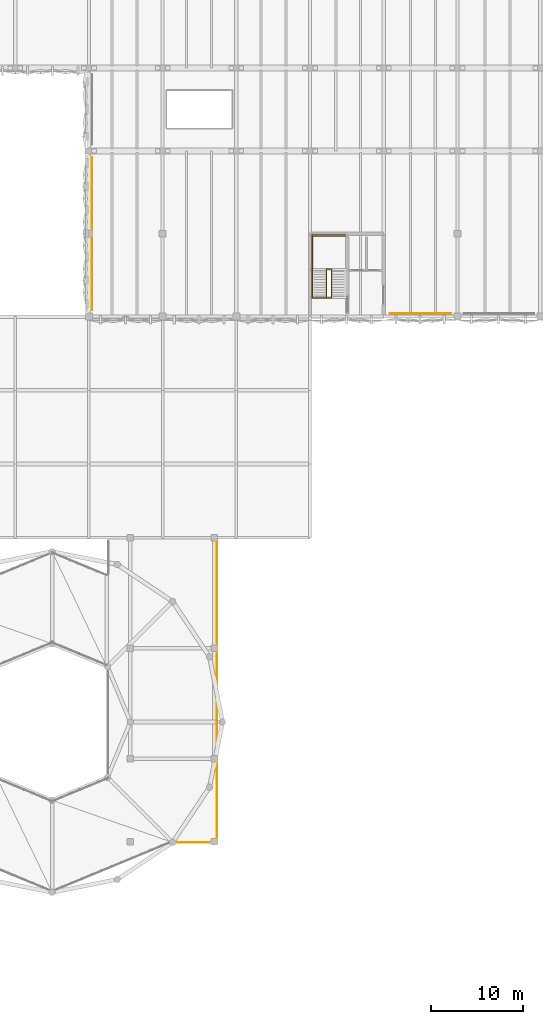
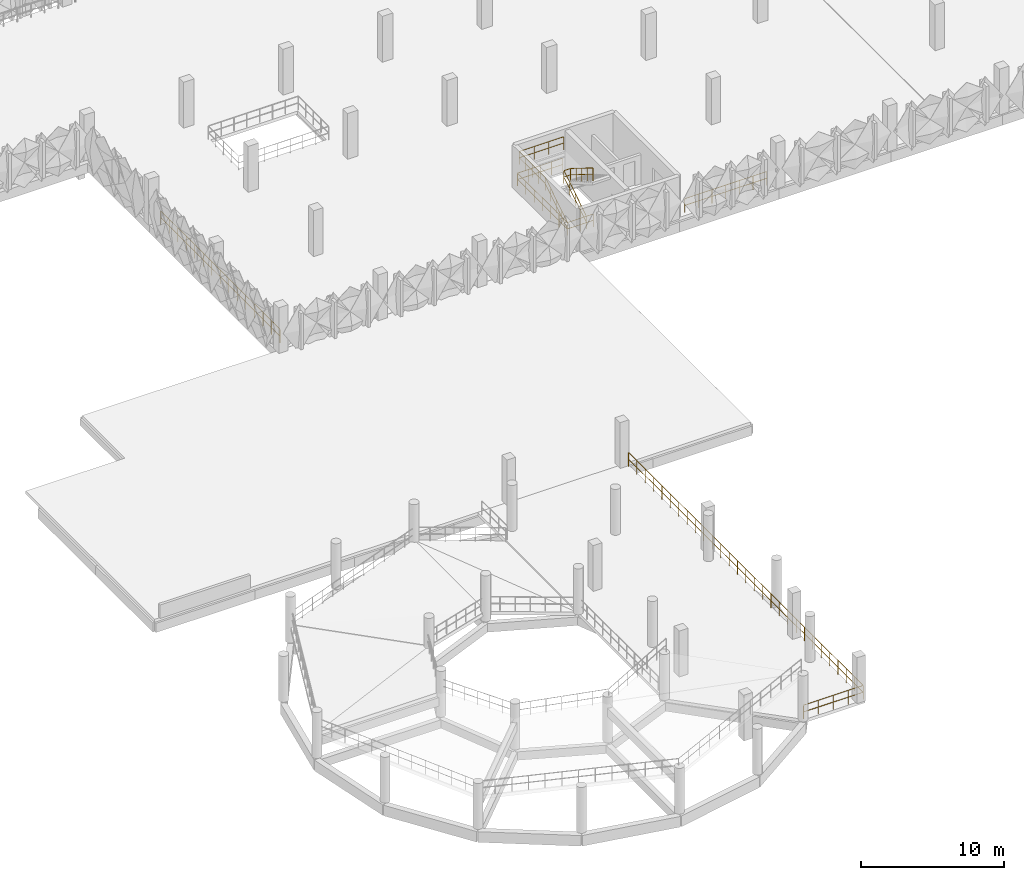
# One storey, part 68 of 76: 6 railings.
"""IFC4 building model written with IfcOpenShell, lengths in metres."""

from ifc_helpers import new_model, si_unit, derived_unit, direction, frame, origin, origin_2d, place, context, subcontext, project, spatial, circle, extrude, material, type_object, element, save


model = new_model("IFC4")

# Units and contexts
model_context = context("Model", 3, precision=1e-05, world=origin(), true_north=direction((0.0, 1.0)))
body_context = subcontext(model_context, "Body", "Model", "MODEL_VIEW")
ifc_project = project(units=[si_unit("LENGTHUNIT", "METRE"), si_unit("AREAUNIT", "SQUARE_METRE"), si_unit("VOLUMEUNIT", "CUBIC_METRE"), si_unit("PLANEANGLEUNIT", "RADIAN"), si_unit("MASSUNIT", "GRAM", prefix="KILO"), si_unit("THERMODYNAMICTEMPERATUREUNIT", "KELVIN"), derived_unit("THERMALTRANSMITTANCEUNIT", [(si_unit("POWERUNIT", "WATT"), 1), (si_unit("AREAUNIT", "SQUARE_METRE"), -1), (si_unit("THERMODYNAMICTEMPERATUREUNIT", "KELVIN"), -1)])], contexts=[model_context])

# Site, building, storey
site_placement = place(None, origin())
site = spatial("IfcSite", under=ifc_project, at=site_placement, CompositionType="ELEMENT")
building_placement = place(site_placement, origin())
building = spatial("IfcBuilding", under=site, at=building_placement, Name="Haiyu Intermodal Mobility Hub", CompositionType="ELEMENT")
storey_placement = place(building_placement, frame((0.0, 0.0, 17.300048828125)))
storey = spatial("IfcBuildingStorey", under=building, at=storey_placement, Name="L04", CompositionType="ELEMENT", Elevation=17.300048828125)

# Railings
ifc_material = material(Name="Steel Q355C", Category="steel")
railing_type_1 = type_object("IfcRailingType", Name="RAL-GR01", PredefinedType="GUARDRAIL", material=ifc_material)
railing_1_placement = place(storey_placement, frame((47.10009765625, 46.89990234375, 0.0)))
element("IfcRailing", 1, at=railing_1_placement, inside=storey, type_object=railing_type_1, Name="L04 Ramp Arrival Deck South-East Guard", PredefinedType="GUARDRAIL", context=body_context, shape_type="SweptSolid", body=[
    extrude(circle(Radius=0.02392578125, at=origin_2d()), frame((0.030029296875, 0.0, 1.17578125), z_axis=(1.0, 0.0, 0.0), x_axis=(0.0, 1.0, 0.0)), (0.0, 0.0, 1.0), 4.73974609375),
    extrude(circle(Radius=0.02392578125, at=origin_2d()), frame((0.037353515625, 0.0, 0.60009765625), z_axis=(1.0, 0.0, 0.0), x_axis=(0.0, 1.0, 0.0)), (0.0, 0.0, 1.0), 1.125244140625),
    extrude(circle(Radius=0.02392578125, at=origin_2d()), frame((1.2373046875, 0.0, 0.60009765625), z_axis=(1.0, 0.0, 0.0), x_axis=(0.0, 1.0, 0.0)), (0.0, 0.0, 1.0), 1.125244140625),
    extrude(circle(Radius=0.02392578125, at=origin_2d()), frame((2.437255859375, 0.0, 0.60009765625), z_axis=(1.0, 0.0, 0.0), x_axis=(0.0, 1.0, 0.0)), (0.0, 0.0, 1.0), 1.125244140625),
    extrude(circle(Radius=0.02392578125, at=origin_2d()), frame((3.63720703125, 0.0, 0.60009765625), z_axis=(1.0, 0.0, 0.0), x_axis=(0.0, 1.0, 0.0)), (0.0, 0.0, 1.0), 1.125244140625),
    extrude(circle(Radius=0.02392578125, at=origin_2d()), frame((4.7998046875, 0.030029296875, 1.17578125), z_axis=(0.0, 1.0, 0.0), x_axis=(-1.0, 0.0, 0.0)), (0.0, 0.0, 1.0), 32.64013671875),
    extrude(circle(Radius=0.02392578125, at=origin_2d()), frame((4.7998046875, 0.037353515625, 0.60009765625), z_axis=(0.0, 1.0, 0.0), x_axis=(-1.0, 0.0, 0.0)), (0.0, 0.0, 1.0), 1.09326171875),
    extrude(circle(Radius=0.02392578125, at=origin_2d()), frame((4.7998046875, 1.205078125, 0.60009765625), z_axis=(0.0, 1.0, 0.0), x_axis=(-1.0, 0.0, 0.0)), (0.0, 0.0, 1.0), 1.09326171875),
    extrude(circle(Radius=0.02392578125, at=origin_2d()), frame((4.7998046875, 2.373046875, 0.60009765625), z_axis=(0.0, 1.0, 0.0), x_axis=(-1.0, 0.0, 0.0)), (0.0, 0.0, 1.0), 1.09326171875),
    extrude(circle(Radius=0.02392578125, at=origin_2d()), frame((4.7998046875, 3.540771484375, 0.60009765625), z_axis=(0.0, 1.0, 0.0), x_axis=(-1.0, 0.0, 0.0)), (0.0, 0.0, 1.0), 1.09326171875),
    extrude(circle(Radius=0.02392578125, at=origin_2d()), frame((4.7998046875, 4.708740234375, 0.60009765625), z_axis=(0.0, 1.0, 0.0), x_axis=(-1.0, 0.0, 0.0)), (0.0, 0.0, 1.0), 1.09326171875),
    extrude(circle(Radius=0.02392578125, at=origin_2d()), frame((4.7998046875, 5.876708984375, 0.60009765625), z_axis=(0.0, 1.0, 0.0), x_axis=(-1.0, 0.0, 0.0)), (0.0, 0.0, 1.0), 1.09326171875),
    extrude(circle(Radius=0.02392578125, at=origin_2d()), frame((4.7998046875, 7.04443359375, 0.60009765625), z_axis=(0.0, 1.0, 0.0), x_axis=(-1.0, 0.0, 0.0)), (0.0, 0.0, 1.0), 1.09326171875),
    extrude(circle(Radius=0.02392578125, at=origin_2d()), frame((4.7998046875, 8.21240234375, 0.60009765625), z_axis=(0.0, 1.0, 0.0), x_axis=(-1.0, 0.0, 0.0)), (0.0, 0.0, 1.0), 1.09326171875),
    extrude(circle(Radius=0.02392578125, at=origin_2d()), frame((4.7998046875, 9.380126953125, 0.60009765625), z_axis=(0.0, 1.0, 0.0), x_axis=(-1.0, 0.0, 0.0)), (0.0, 0.0, 1.0), 1.09326171875),
    extrude(circle(Radius=0.02392578125, at=origin_2d()), frame((4.7998046875, 10.548095703125, 0.60009765625), z_axis=(0.0, 1.0, 0.0), x_axis=(-1.0, 0.0, 0.0)), (0.0, 0.0, 1.0), 1.09326171875),
    extrude(circle(Radius=0.02392578125, at=origin_2d()), frame((4.7998046875, 11.7158203125, 0.60009765625), z_axis=(0.0, 1.0, 0.0), x_axis=(-1.0, 0.0, 0.0)), (0.0, 0.0, 1.0), 1.09326171875),
    extrude(circle(Radius=0.02392578125, at=origin_2d()), frame((4.7998046875, 12.8837890625, 0.60009765625), z_axis=(0.0, 1.0, 0.0), x_axis=(-1.0, 0.0, 0.0)), (0.0, 0.0, 1.0), 1.09326171875),
    extrude(circle(Radius=0.02392578125, at=origin_2d()), frame((4.7998046875, 14.0517578125, 0.60009765625), z_axis=(0.0, 1.0, 0.0), x_axis=(-1.0, 0.0, 0.0)), (0.0, 0.0, 1.0), 1.09326171875),
    extrude(circle(Radius=0.02392578125, at=origin_2d()), frame((4.7998046875, 15.219482421875, 0.60009765625), z_axis=(0.0, 1.0, 0.0), x_axis=(-1.0, 0.0, 0.0)), (0.0, 0.0, 1.0), 1.09326171875),
    extrude(circle(Radius=0.02392578125, at=origin_2d()), frame((4.7998046875, 16.387451171875, 0.60009765625), z_axis=(0.0, 1.0, 0.0), x_axis=(-1.0, 0.0, 0.0)), (0.0, 0.0, 1.0), 1.09326171875),
    extrude(circle(Radius=0.02392578125, at=origin_2d()), frame((4.7998046875, 17.55517578125, 0.60009765625), z_axis=(0.0, 1.0, 0.0), x_axis=(-1.0, 0.0, 0.0)), (0.0, 0.0, 1.0), 1.09326171875),
    extrude(circle(Radius=0.02392578125, at=origin_2d()), frame((4.7998046875, 18.72314453125, 0.60009765625), z_axis=(0.0, 1.0, 0.0), x_axis=(-1.0, 0.0, 0.0)), (0.0, 0.0, 1.0), 1.09326171875),
    extrude(circle(Radius=0.02392578125, at=origin_2d()), frame((4.7998046875, 19.890869140625, 0.60009765625), z_axis=(0.0, 1.0, 0.0), x_axis=(-1.0, 0.0, 0.0)), (0.0, 0.0, 1.0), 1.09326171875),
    extrude(circle(Radius=0.02392578125, at=origin_2d()), frame((4.7998046875, 21.058837890625, 0.60009765625), z_axis=(0.0, 1.0, 0.0), x_axis=(-1.0, 0.0, 0.0)), (0.0, 0.0, 1.0), 1.09326171875),
    extrude(circle(Radius=0.02392578125, at=origin_2d()), frame((4.7998046875, 22.226806640625, 0.60009765625), z_axis=(0.0, 1.0, 0.0), x_axis=(-1.0, 0.0, 0.0)), (0.0, 0.0, 1.0), 1.09326171875),
    extrude(circle(Radius=0.02392578125, at=origin_2d()), frame((4.7998046875, 23.39453125, 0.60009765625), z_axis=(0.0, 1.0, 0.0), x_axis=(-1.0, 0.0, 0.0)), (0.0, 0.0, 1.0), 1.09326171875),
    extrude(circle(Radius=0.02392578125, at=origin_2d()), frame((4.7998046875, 24.5625, 0.60009765625), z_axis=(0.0, 1.0, 0.0), x_axis=(-1.0, 0.0, 0.0)), (0.0, 0.0, 1.0), 1.09326171875),
    extrude(circle(Radius=0.02392578125, at=origin_2d()), frame((4.7998046875, 25.730224609375, 0.60009765625), z_axis=(0.0, 1.0, 0.0), x_axis=(-1.0, 0.0, 0.0)), (0.0, 0.0, 1.0), 1.09326171875),
    extrude(circle(Radius=0.02392578125, at=origin_2d()), frame((4.7998046875, 26.898193359375, 0.60009765625), z_axis=(0.0, 1.0, 0.0), x_axis=(-1.0, 0.0, 0.0)), (0.0, 0.0, 1.0), 1.09326171875),
    extrude(circle(Radius=0.02392578125, at=origin_2d()), frame((4.7998046875, 28.06591796875, 0.60009765625), z_axis=(0.0, 1.0, 0.0), x_axis=(-1.0, 0.0, 0.0)), (0.0, 0.0, 1.0), 1.09326171875),
    extrude(circle(Radius=0.02392578125, at=origin_2d()), frame((4.7998046875, 29.23388671875, 0.60009765625), z_axis=(0.0, 1.0, 0.0), x_axis=(-1.0, 0.0, 0.0)), (0.0, 0.0, 1.0), 1.09326171875),
    extrude(circle(Radius=0.02392578125, at=origin_2d()), frame((4.7998046875, 30.40185546875, 0.60009765625), z_axis=(0.0, 1.0, 0.0), x_axis=(-1.0, 0.0, 0.0)), (0.0, 0.0, 1.0), 1.09326171875),
    extrude(circle(Radius=0.02392578125, at=origin_2d()), frame((4.7998046875, 31.569580078125, 0.60009765625), z_axis=(0.0, 1.0, 0.0), x_axis=(-1.0, 0.0, 0.0)), (0.0, 0.0, 1.0), 1.09326171875),
    extrude(circle(Radius=0.02099609375, at=origin_2d()), origin(), (0.0, 0.0, 1.0), 1.143798828125),
    extrude(circle(Radius=0.02099609375, at=origin_2d()), frame((1.199951171875, 0.0, 0.0)), (0.0, 0.0, 1.0), 1.143798828125),
    extrude(circle(Radius=0.02099609375, at=origin_2d()), frame((2.39990234375, 0.0, 0.0)), (0.0, 0.0, 1.0), 1.143798828125),
    extrude(circle(Radius=0.02099609375, at=origin_2d()), frame((3.599853515625, 0.0, 0.0)), (0.0, 0.0, 1.0), 1.143798828125),
    extrude(circle(Radius=0.02099609375, at=origin_2d()), frame((4.7998046875, 0.0, 0.0)), (0.0, 0.0, 1.0), 1.143798828125),
    extrude(circle(Radius=0.02099609375, at=origin_2d()), frame((4.7998046875, 1.16796875, 0.0)), (0.0, 0.0, 1.0), 1.143798828125),
    extrude(circle(Radius=0.02099609375, at=origin_2d()), frame((4.7998046875, 2.335693359375, 0.0)), (0.0, 0.0, 1.0), 1.143798828125),
    extrude(circle(Radius=0.02099609375, at=origin_2d()), frame((4.7998046875, 3.503662109375, 0.0)), (0.0, 0.0, 1.0), 1.143798828125),
    extrude(circle(Radius=0.02099609375, at=origin_2d()), frame((4.7998046875, 4.67138671875, 0.0)), (0.0, 0.0, 1.0), 1.143798828125),
    extrude(circle(Radius=0.02099609375, at=origin_2d()), frame((4.7998046875, 5.83935546875, 0.0)), (0.0, 0.0, 1.0), 1.143798828125),
    extrude(circle(Radius=0.02099609375, at=origin_2d()), frame((4.7998046875, 7.007080078125, 0.0)), (0.0, 0.0, 1.0), 1.143798828125),
    extrude(circle(Radius=0.02099609375, at=origin_2d()), frame((4.7998046875, 8.175048828125, 0.0)), (0.0, 0.0, 1.0), 1.143798828125),
    extrude(circle(Radius=0.02099609375, at=origin_2d()), frame((4.7998046875, 9.343017578125, 0.0)), (0.0, 0.0, 1.0), 1.143798828125),
    extrude(circle(Radius=0.02099609375, at=origin_2d()), frame((4.7998046875, 10.5107421875, 0.0)), (0.0, 0.0, 1.0), 1.143798828125),
    extrude(circle(Radius=0.02099609375, at=origin_2d()), frame((4.7998046875, 11.6787109375, 0.0)), (0.0, 0.0, 1.0), 1.143798828125),
    extrude(circle(Radius=0.02099609375, at=origin_2d()), frame((4.7998046875, 12.846435546875, 0.0)), (0.0, 0.0, 1.0), 1.143798828125),
    extrude(circle(Radius=0.02099609375, at=origin_2d()), frame((4.7998046875, 14.014404296875, 0.0)), (0.0, 0.0, 1.0), 1.143798828125),
    extrude(circle(Radius=0.02099609375, at=origin_2d()), frame((4.7998046875, 15.18212890625, 0.0)), (0.0, 0.0, 1.0), 1.143798828125),
    extrude(circle(Radius=0.02099609375, at=origin_2d()), frame((4.7998046875, 16.35009765625, 0.0)), (0.0, 0.0, 1.0), 1.143798828125),
    extrude(circle(Radius=0.02099609375, at=origin_2d()), frame((4.7998046875, 17.51806640625, 0.0)), (0.0, 0.0, 1.0), 1.143798828125),
    extrude(circle(Radius=0.02099609375, at=origin_2d()), frame((4.7998046875, 18.685791015625, 0.0)), (0.0, 0.0, 1.0), 1.143798828125),
    extrude(circle(Radius=0.02099609375, at=origin_2d()), frame((4.7998046875, 19.853759765625, 0.0)), (0.0, 0.0, 1.0), 1.143798828125),
    extrude(circle(Radius=0.02099609375, at=origin_2d()), frame((4.7998046875, 21.021484375, 0.0)), (0.0, 0.0, 1.0), 1.143798828125),
    extrude(circle(Radius=0.02099609375, at=origin_2d()), frame((4.7998046875, 22.189453125, 0.0)), (0.0, 0.0, 1.0), 1.143798828125),
    extrude(circle(Radius=0.02099609375, at=origin_2d()), frame((4.7998046875, 23.357177734375, 0.0)), (0.0, 0.0, 1.0), 1.143798828125),
    extrude(circle(Radius=0.02099609375, at=origin_2d()), frame((4.7998046875, 24.525146484375, 0.0)), (0.0, 0.0, 1.0), 1.143798828125),
    extrude(circle(Radius=0.02099609375, at=origin_2d()), frame((4.7998046875, 25.693115234375, 0.0)), (0.0, 0.0, 1.0), 1.143798828125),
    extrude(circle(Radius=0.02099609375, at=origin_2d()), frame((4.7998046875, 26.86083984375, 0.0)), (0.0, 0.0, 1.0), 1.143798828125),
    extrude(circle(Radius=0.02099609375, at=origin_2d()), frame((4.7998046875, 28.02880859375, 0.0)), (0.0, 0.0, 1.0), 1.143798828125),
    extrude(circle(Radius=0.02099609375, at=origin_2d()), frame((4.7998046875, 29.196533203125, 0.0)), (0.0, 0.0, 1.0), 1.143798828125),
    extrude(circle(Radius=0.02099609375, at=origin_2d()), frame((4.7998046875, 30.364501953125, 0.0)), (0.0, 0.0, 1.0), 1.143798828125),
    extrude(circle(Radius=0.02099609375, at=origin_2d()), frame((4.7998046875, 31.5322265625, 0.0)), (0.0, 0.0, 1.0), 1.143798828125),
    extrude(circle(Radius=0.02099609375, at=origin_2d()), frame((4.7998046875, 32.7001953125, 0.0)), (0.0, 0.0, 1.0), 1.143798828125),
])
railing_2_placement = place(storey_placement, frame((38.340087890625, 121.300048828125, 0.0)))
element("IfcRailing", 2, at=railing_2_placement, inside=storey, type_object=railing_type_1, Name="RAL-CAR-WS-0085", PredefinedType="GUARDRAIL", context=body_context, shape_type="SweptSolid", body=[
    extrude(circle(Radius=0.02392578125, at=origin_2d()), frame((0.0, -0.030029296875, 1.17578125), z_axis=(0.0, -1.0, 0.0), x_axis=(1.0, 0.0, 0.0)), (0.0, 0.0, 1.0), 16.5400390625),
    extrude(circle(Radius=0.02392578125, at=origin_2d()), frame((0.0, -0.037353515625, 0.60009765625), z_axis=(0.0, -1.0, 0.0), x_axis=(1.0, 0.0, 0.0)), (0.0, 0.0, 1.0), 1.111083984375),
    extrude(circle(Radius=0.02392578125, at=origin_2d()), frame((0.0, -1.222900390625, 0.60009765625), z_axis=(0.0, -1.0, 0.0), x_axis=(1.0, 0.0, 0.0)), (0.0, 0.0, 1.0), 1.111083984375),
    extrude(circle(Radius=0.02392578125, at=origin_2d()), frame((0.0, -2.40869140625, 0.60009765625), z_axis=(0.0, -1.0, 0.0), x_axis=(1.0, 0.0, 0.0)), (0.0, 0.0, 1.0), 1.111083984375),
    extrude(circle(Radius=0.02392578125, at=origin_2d()), frame((0.0, -3.594482421875, 0.60009765625), z_axis=(0.0, -1.0, 0.0), x_axis=(1.0, 0.0, 0.0)), (0.0, 0.0, 1.0), 1.111083984375),
    extrude(circle(Radius=0.02392578125, at=origin_2d()), frame((0.0, -4.7802734375, 0.60009765625), z_axis=(0.0, -1.0, 0.0), x_axis=(1.0, 0.0, 0.0)), (0.0, 0.0, 1.0), 1.111083984375),
    extrude(circle(Radius=0.02392578125, at=origin_2d()), frame((0.0, -5.9658203125, 0.60009765625), z_axis=(0.0, -1.0, 0.0), x_axis=(1.0, 0.0, 0.0)), (0.0, 0.0, 1.0), 1.111083984375),
    extrude(circle(Radius=0.02392578125, at=origin_2d()), frame((0.0, -7.151611328125, 0.60009765625), z_axis=(0.0, -1.0, 0.0), x_axis=(1.0, 0.0, 0.0)), (0.0, 0.0, 1.0), 1.111083984375),
    extrude(circle(Radius=0.02392578125, at=origin_2d()), frame((0.0, -8.33740234375, 0.60009765625), z_axis=(0.0, -1.0, 0.0), x_axis=(1.0, 0.0, 0.0)), (0.0, 0.0, 1.0), 1.111083984375),
    extrude(circle(Radius=0.02392578125, at=origin_2d()), frame((0.0, -9.52294921875, 0.60009765625), z_axis=(0.0, -1.0, 0.0), x_axis=(1.0, 0.0, 0.0)), (0.0, 0.0, 1.0), 1.111083984375),
    extrude(circle(Radius=0.02392578125, at=origin_2d()), frame((0.0, -10.708740234375, 0.60009765625), z_axis=(0.0, -1.0, 0.0), x_axis=(1.0, 0.0, 0.0)), (0.0, 0.0, 1.0), 1.111083984375),
    extrude(circle(Radius=0.02392578125, at=origin_2d()), frame((0.0, -11.89453125, 0.60009765625), z_axis=(0.0, -1.0, 0.0), x_axis=(1.0, 0.0, 0.0)), (0.0, 0.0, 1.0), 1.111083984375),
    extrude(circle(Radius=0.02392578125, at=origin_2d()), frame((0.0, -13.080322265625, 0.60009765625), z_axis=(0.0, -1.0, 0.0), x_axis=(1.0, 0.0, 0.0)), (0.0, 0.0, 1.0), 1.111083984375),
    extrude(circle(Radius=0.02392578125, at=origin_2d()), frame((0.0, -14.265869140625, 0.60009765625), z_axis=(0.0, -1.0, 0.0), x_axis=(1.0, 0.0, 0.0)), (0.0, 0.0, 1.0), 1.111083984375),
    extrude(circle(Radius=0.02392578125, at=origin_2d()), frame((0.0, -15.45166015625, 0.60009765625), z_axis=(0.0, -1.0, 0.0), x_axis=(1.0, 0.0, 0.0)), (0.0, 0.0, 1.0), 1.111083984375),
    extrude(circle(Radius=0.02099609375, at=origin_2d()), origin(), (0.0, 0.0, 1.0), 1.143798828125),
    extrude(circle(Radius=0.02099609375, at=origin_2d()), frame((0.0, -1.185791015625, 0.0)), (0.0, 0.0, 1.0), 1.143798828125),
    extrude(circle(Radius=0.02099609375, at=origin_2d()), frame((0.0, -2.371337890625, 0.0)), (0.0, 0.0, 1.0), 1.143798828125),
    extrude(circle(Radius=0.02099609375, at=origin_2d()), frame((0.0, -3.55712890625, 0.0)), (0.0, 0.0, 1.0), 1.143798828125),
    extrude(circle(Radius=0.02099609375, at=origin_2d()), frame((0.0, -4.742919921875, 0.0)), (0.0, 0.0, 1.0), 1.143798828125),
    extrude(circle(Radius=0.02099609375, at=origin_2d()), frame((0.0, -5.9287109375, 0.0)), (0.0, 0.0, 1.0), 1.143798828125),
    extrude(circle(Radius=0.02099609375, at=origin_2d()), frame((0.0, -7.1142578125, 0.0)), (0.0, 0.0, 1.0), 1.143798828125),
    extrude(circle(Radius=0.02099609375, at=origin_2d()), frame((0.0, -8.300048828125, 0.0)), (0.0, 0.0, 1.0), 1.143798828125),
    extrude(circle(Radius=0.02099609375, at=origin_2d()), frame((0.0, -9.48583984375, 0.0)), (0.0, 0.0, 1.0), 1.143798828125),
    extrude(circle(Radius=0.02099609375, at=origin_2d()), frame((0.0, -10.67138671875, 0.0)), (0.0, 0.0, 1.0), 1.143798828125),
    extrude(circle(Radius=0.02099609375, at=origin_2d()), frame((0.0, -11.857177734375, 0.0)), (0.0, 0.0, 1.0), 1.143798828125),
    extrude(circle(Radius=0.02099609375, at=origin_2d()), frame((0.0, -13.04296875, 0.0)), (0.0, 0.0, 1.0), 1.143798828125),
    extrude(circle(Radius=0.02099609375, at=origin_2d()), frame((0.0, -14.228759765625, 0.0)), (0.0, 0.0, 1.0), 1.143798828125),
    extrude(circle(Radius=0.02099609375, at=origin_2d()), frame((0.0, -15.414306640625, 0.0)), (0.0, 0.0, 1.0), 1.143798828125),
    extrude(circle(Radius=0.02099609375, at=origin_2d()), frame((0.0, -16.60009765625, 0.0)), (0.0, 0.0, 1.0), 1.143798828125),
])
railing_3_placement = place(storey_placement, frame((70.699951171875, 104.340087890625, 0.0)))
element("IfcRailing", 3, at=railing_3_placement, inside=storey, type_object=railing_type_1, Name="RAL-CAR-S-0112", PredefinedType="GUARDRAIL", context=body_context, shape_type="SweptSolid", body=[
    extrude(circle(Radius=0.02392578125, at=origin_2d()), frame((0.030029296875, 0.0, 1.17578125), z_axis=(1.0, 0.0, 0.0), x_axis=(0.0, 1.0, 0.0)), (0.0, 0.0, 1.0), 6.5400390625),
    extrude(circle(Radius=0.02392578125, at=origin_2d()), frame((0.037353515625, 0.0, 0.60009765625), z_axis=(1.0, 0.0, 0.0), x_axis=(0.0, 1.0, 0.0)), (0.0, 0.0, 1.0), 1.025390625),
    extrude(circle(Radius=0.02392578125, at=origin_2d()), frame((1.13720703125, 0.0, 0.60009765625), z_axis=(1.0, 0.0, 0.0), x_axis=(0.0, 1.0, 0.0)), (0.0, 0.0, 1.0), 1.025390625),
    extrude(circle(Radius=0.02392578125, at=origin_2d()), frame((2.2373046875, 0.0, 0.60009765625), z_axis=(1.0, 0.0, 0.0), x_axis=(0.0, 1.0, 0.0)), (0.0, 0.0, 1.0), 1.025390625),
    extrude(circle(Radius=0.02392578125, at=origin_2d()), frame((3.33740234375, 0.0, 0.60009765625), z_axis=(1.0, 0.0, 0.0), x_axis=(0.0, 1.0, 0.0)), (0.0, 0.0, 1.0), 1.025390625),
    extrude(circle(Radius=0.02392578125, at=origin_2d()), frame((4.437255859375, 0.0, 0.60009765625), z_axis=(1.0, 0.0, 0.0), x_axis=(0.0, 1.0, 0.0)), (0.0, 0.0, 1.0), 1.025390625),
    extrude(circle(Radius=0.02392578125, at=origin_2d()), frame((5.537353515625, 0.0, 0.60009765625), z_axis=(1.0, 0.0, 0.0), x_axis=(0.0, 1.0, 0.0)), (0.0, 0.0, 1.0), 1.025390625),
    extrude(circle(Radius=0.02099609375, at=origin_2d()), origin(), (0.0, 0.0, 1.0), 1.143798828125),
    extrude(circle(Radius=0.02099609375, at=origin_2d()), frame((1.10009765625, 0.0, 0.0)), (0.0, 0.0, 1.0), 1.143798828125),
    extrude(circle(Radius=0.02099609375, at=origin_2d()), frame((2.199951171875, 0.0, 0.0)), (0.0, 0.0, 1.0), 1.143798828125),
    extrude(circle(Radius=0.02099609375, at=origin_2d()), frame((3.300048828125, 0.0, 0.0)), (0.0, 0.0, 1.0), 1.143798828125),
    extrude(circle(Radius=0.02099609375, at=origin_2d()), frame((4.400146484375, 0.0, 0.0)), (0.0, 0.0, 1.0), 1.143798828125),
    extrude(circle(Radius=0.02099609375, at=origin_2d()), frame((5.5, 0.0, 0.0)), (0.0, 0.0, 1.0), 1.143798828125),
    extrude(circle(Radius=0.02099609375, at=origin_2d()), frame((6.60009765625, 0.0, 0.0)), (0.0, 0.0, 1.0), 1.143798828125),
])
railing_type_2 = type_object("IfcRailingType", Name="RAL-GR03", PredefinedType="GUARDRAIL", material=ifc_material)
railing_4_placement = place(storey_placement, frame((64.31005859375, 106.010009765625, 0.0)))
element("IfcRailing", 4, at=railing_4_placement, inside=storey, type_object=railing_type_2, Name="Stair Shaft Floor Guard STR-C5-L03", PredefinedType="GUARDRAIL", context=body_context, shape_type="SweptSolid", body=[
    extrude(circle(Radius=0.02392578125, at=origin_2d()), frame((-0.030029296875, 0.0, 1.09619140625), z_axis=(-1.0, 0.0, 0.0), x_axis=(0.0, -1.0, 0.0)), (0.0, 0.0, 1.0), 2.030029296875),
    extrude(circle(Radius=0.02392578125, at=origin_2d()), frame((-0.037353515625, 0.0, 0.56005859375), z_axis=(-1.0, 0.0, 0.0), x_axis=(0.0, -1.0, 0.0)), (0.0, 0.0, 1.0), 0.970458984375),
    extrude(circle(Radius=0.02392578125, at=origin_2d()), frame((-1.082275390625, 0.0, 0.56005859375), z_axis=(-1.0, 0.0, 0.0), x_axis=(0.0, -1.0, 0.0)), (0.0, 0.0, 1.0), 0.970458984375),
    extrude(circle(Radius=0.02392578125, at=origin_2d()), frame((-2.090087890625, 0.030029296875, 1.09619140625), z_axis=(0.0, 1.0, 0.0), x_axis=(-1.0, 0.0, 0.0)), (0.0, 0.0, 1.0), 6.8798828125),
    extrude(circle(Radius=0.02392578125, at=origin_2d()), frame((-2.090087890625, 0.037353515625, 0.56005859375), z_axis=(0.0, 1.0, 0.0), x_axis=(-1.0, 0.0, 0.0)), (0.0, 0.0, 1.0), 1.08203125),
    extrude(circle(Radius=0.02392578125, at=origin_2d()), frame((-2.090087890625, 1.19384765625, 0.56005859375), z_axis=(0.0, 1.0, 0.0), x_axis=(-1.0, 0.0, 0.0)), (0.0, 0.0, 1.0), 1.08203125),
    extrude(circle(Radius=0.02392578125, at=origin_2d()), frame((-2.090087890625, 2.3505859375, 0.56005859375), z_axis=(0.0, 1.0, 0.0), x_axis=(-1.0, 0.0, 0.0)), (0.0, 0.0, 1.0), 1.08203125),
    extrude(circle(Radius=0.02392578125, at=origin_2d()), frame((-2.090087890625, 3.50732421875, 0.56005859375), z_axis=(0.0, 1.0, 0.0), x_axis=(-1.0, 0.0, 0.0)), (0.0, 0.0, 1.0), 1.08203125),
    extrude(circle(Radius=0.02392578125, at=origin_2d()), frame((-2.090087890625, 4.663818359375, 0.56005859375), z_axis=(0.0, 1.0, 0.0), x_axis=(-1.0, 0.0, 0.0)), (0.0, 0.0, 1.0), 1.08203125),
    extrude(circle(Radius=0.02392578125, at=origin_2d()), frame((-2.090087890625, 5.820556640625, 0.56005859375), z_axis=(0.0, 1.0, 0.0), x_axis=(-1.0, 0.0, 0.0)), (0.0, 0.0, 1.0), 1.08203125),
    extrude(circle(Radius=0.02392578125, at=origin_2d()), frame((-2.06005859375, 6.93994140625, 1.09619140625), z_axis=(1.0, 0.0, 0.0), x_axis=(0.0, 1.0, 0.0)), (0.0, 0.0, 1.0), 3.590087890625),
    extrude(circle(Radius=0.02392578125, at=origin_2d()), frame((-2.052734375, 6.93994140625, 0.56005859375), z_axis=(1.0, 0.0, 0.0), x_axis=(0.0, 1.0, 0.0)), (0.0, 0.0, 1.0), 0.837890625),
    extrude(circle(Radius=0.02392578125, at=origin_2d()), frame((-1.14013671875, 6.93994140625, 0.56005859375), z_axis=(1.0, 0.0, 0.0), x_axis=(0.0, 1.0, 0.0)), (0.0, 0.0, 1.0), 0.837890625),
    extrude(circle(Radius=0.02392578125, at=origin_2d()), frame((-0.227783203125, 6.93994140625, 0.56005859375), z_axis=(1.0, 0.0, 0.0), x_axis=(0.0, 1.0, 0.0)), (0.0, 0.0, 1.0), 0.837890625),
    extrude(circle(Radius=0.02392578125, at=origin_2d()), frame((0.684814453125, 6.93994140625, 0.56005859375), z_axis=(1.0, 0.0, 0.0), x_axis=(0.0, 1.0, 0.0)), (0.0, 0.0, 1.0), 0.837890625),
    extrude(circle(Radius=0.02099609375, at=origin_2d()), origin(), (0.0, 0.0, 1.0), 1.06396484375),
    extrude(circle(Radius=0.02099609375, at=origin_2d()), frame((-1.044921875, 0.0, 0.0)), (0.0, 0.0, 1.0), 1.06396484375),
    extrude(circle(Radius=0.02099609375, at=origin_2d()), frame((-2.090087890625, 0.0, 0.0)), (0.0, 0.0, 1.0), 1.06396484375),
    extrude(circle(Radius=0.02099609375, at=origin_2d()), frame((-2.090087890625, 1.15673828125, 0.0)), (0.0, 0.0, 1.0), 1.06396484375),
    extrude(circle(Radius=0.02099609375, at=origin_2d()), frame((-2.090087890625, 2.313232421875, 0.0)), (0.0, 0.0, 1.0), 1.06396484375),
    extrude(circle(Radius=0.02099609375, at=origin_2d()), frame((-2.090087890625, 3.469970703125, 0.0)), (0.0, 0.0, 1.0), 1.06396484375),
    extrude(circle(Radius=0.02099609375, at=origin_2d()), frame((-2.090087890625, 4.626708984375, 0.0)), (0.0, 0.0, 1.0), 1.06396484375),
    extrude(circle(Radius=0.02099609375, at=origin_2d()), frame((-2.090087890625, 5.783203125, 0.0)), (0.0, 0.0, 1.0), 1.06396484375),
    extrude(circle(Radius=0.02099609375, at=origin_2d()), frame((-2.090087890625, 6.93994140625, 0.0)), (0.0, 0.0, 1.0), 1.06396484375),
    extrude(circle(Radius=0.02099609375, at=origin_2d()), frame((-1.177490234375, 6.93994140625, 0.0)), (0.0, 0.0, 1.0), 1.06396484375),
    extrude(circle(Radius=0.02099609375, at=origin_2d()), frame((-0.26513671875, 6.93994140625, 0.0)), (0.0, 0.0, 1.0), 1.06396484375),
    extrude(circle(Radius=0.02099609375, at=origin_2d()), frame((0.6474609375, 6.93994140625, 0.0)), (0.0, 0.0, 1.0), 1.06396484375),
    extrude(circle(Radius=0.02099609375, at=origin_2d()), frame((1.56005859375, 6.93994140625, 0.0)), (0.0, 0.0, 1.0), 1.06396484375),
])
railing_5_placement = place(storey_placement, frame((63.780029296875, 106.050048828125, 0.0)))
element("IfcRailing", 5, at=railing_5_placement, inside=storey, type_object=railing_type_2, Name="Stair Well Guard STR-C5-L04", PredefinedType="GUARDRAIL", context=body_context, shape_type="SweptSolid", body=[
    extrude(circle(Radius=0.02392578125, at=origin_2d()), frame((0.0, 0.025390625, 1.11181640625), z_axis=(0.0, 0.848756196164, 0.528784378999), x_axis=(-1.0, 0.0, 0.0)), (0.0, 0.0, 1.0), 3.627685546875),
    extrude(circle(Radius=0.02392578125, at=origin_2d()), frame((0.0, 0.03173828125, 0.579833984375), z_axis=(0.0, 0.848756196164, 0.528784378999), x_axis=(-1.0, 0.0, 0.0)), (0.0, 0.0, 1.0), 0.847412109375),
    extrude(circle(Radius=0.02392578125, at=origin_2d()), frame((0.0, 0.814208984375, 1.0673828125), z_axis=(0.0, 0.848756196164, 0.528784378999), x_axis=(-1.0, 0.0, 0.0)), (0.0, 0.0, 1.0), 0.847412109375),
    extrude(circle(Radius=0.02392578125, at=origin_2d()), frame((0.0, 1.5966796875, 1.5546875), z_axis=(0.0, 0.848756196164, 0.528784378999), x_axis=(-1.0, 0.0, 0.0)), (0.0, 0.0, 1.0), 0.847412109375),
    extrude(circle(Radius=0.02392578125, at=origin_2d()), frame((0.0, 2.379150390625, 2.042236328125), z_axis=(0.0, 0.848756196164, 0.528784378999), x_axis=(-1.0, 0.0, 0.0)), (0.0, 0.0, 1.0), 0.847412109375),
    extrude(circle(Radius=0.02392578125, at=origin_2d()), frame((0.030029296875, 3.1298828125, 3.0458984375), z_axis=(1.0, 0.0, 0.0), x_axis=(0.0, 1.0, 0.0)), (0.0, 0.0, 1.0), 0.469970703125),
    extrude(circle(Radius=0.02392578125, at=origin_2d()), frame((0.037353515625, 3.1298828125, 2.510009765625), z_axis=(1.0, 0.0, 0.0), x_axis=(0.0, 1.0, 0.0)), (0.0, 0.0, 1.0), 0.455322265625),
    extrude(circle(Radius=0.02392578125, at=origin_2d()), frame((0.530029296875, 3.1044921875, 3.061767578125), z_axis=(0.0, -0.848756196164, 0.528784378999), x_axis=(1.0, 0.0, 0.0)), (0.0, 0.0, 1.0), 3.627685546875),
    extrude(circle(Radius=0.02392578125, at=origin_2d()), frame((0.530029296875, 3.09814453125, 2.52978515625), z_axis=(0.0, -0.848756196164, 0.528784378999), x_axis=(1.0, 0.0, 0.0)), (0.0, 0.0, 1.0), 0.847412109375),
    extrude(circle(Radius=0.02392578125, at=origin_2d()), frame((0.530029296875, 2.315673828125, 3.017333984375), z_axis=(0.0, -0.848756196164, 0.528784378999), x_axis=(1.0, 0.0, 0.0)), (0.0, 0.0, 1.0), 0.847412109375),
    extrude(circle(Radius=0.02392578125, at=origin_2d()), frame((0.530029296875, 1.533203125, 3.504638671875), z_axis=(0.0, -0.848756196164, 0.528784378999), x_axis=(1.0, 0.0, 0.0)), (0.0, 0.0, 1.0), 0.847412109375),
    extrude(circle(Radius=0.02392578125, at=origin_2d()), frame((0.530029296875, 0.750732421875, 3.9921875), z_axis=(0.0, -0.848756196164, 0.528784378999), x_axis=(1.0, 0.0, 0.0)), (0.0, 0.0, 1.0), 0.847412109375),
    extrude(circle(Radius=0.02099609375, at=origin_2d()), origin(), (0.0, 0.0, 1.0), 1.06396484375),
    extrude(circle(Radius=0.02099609375, at=origin_2d()), frame((0.0, 0.782470703125, 0.487548828125)), (0.0, 0.0, 1.0), 1.06396484375),
    extrude(circle(Radius=0.02099609375, at=origin_2d()), frame((0.0, 1.56494140625, 0.97509765625)), (0.0, 0.0, 1.0), 1.06396484375),
    extrude(circle(Radius=0.02099609375, at=origin_2d()), frame((0.0, 2.347412109375, 1.46240234375)), (0.0, 0.0, 1.0), 1.06396484375),
    extrude(circle(Radius=0.02099609375, at=origin_2d()), frame((0.0, 3.1298828125, 1.949951171875)), (0.0, 0.0, 1.0), 1.06396484375),
    extrude(circle(Radius=0.02099609375, at=origin_2d()), frame((0.530029296875, 3.1298828125, 1.949951171875)), (0.0, 0.0, 1.0), 1.06396484375),
    extrude(circle(Radius=0.02099609375, at=origin_2d()), frame((0.530029296875, 2.347412109375, 2.4375)), (0.0, 0.0, 1.0), 1.06396484375),
    extrude(circle(Radius=0.02099609375, at=origin_2d()), frame((0.530029296875, 1.56494140625, 2.9248046875)), (0.0, 0.0, 1.0), 1.06396484375),
    extrude(circle(Radius=0.02099609375, at=origin_2d()), frame((0.530029296875, 0.782470703125, 3.412353515625)), (0.0, 0.0, 1.0), 1.06396484375),
    extrude(circle(Radius=0.02099609375, at=origin_2d()), frame((0.530029296875, 0.0, 3.89990234375)), (0.0, 0.0, 1.0), 1.06396484375),
])
railing_6_placement = place(storey_placement, frame((62.25, 106.050048828125, 0.0)))
element("IfcRailing", 6, at=railing_6_placement, inside=storey, type_object=railing_type_2, Name="Stair Outer Guard STR-C5-L04", PredefinedType="GUARDRAIL", context=body_context, shape_type="SweptSolid", body=[
    extrude(circle(Radius=0.02392578125, at=origin_2d()), frame((0.0, 0.025390625, 1.112060546875), z_axis=(0.0, 0.844894753029, 0.534932571736), x_axis=(-1.0, 0.0, 0.0)), (0.0, 0.0, 1.0), 3.585205078125),
    extrude(circle(Radius=0.02392578125, at=origin_2d()), frame((0.0, 0.031494140625, 0.580078125), z_axis=(0.0, 0.844894753029, 0.534932571736), x_axis=(-1.0, 0.0, 0.0)), (0.0, 0.0, 1.0), 0.836669921875),
    extrude(circle(Radius=0.02392578125, at=origin_2d()), frame((0.0, 0.801513671875, 1.0673828125), z_axis=(0.0, 0.844894753029, 0.534932571736), x_axis=(-1.0, 0.0, 0.0)), (0.0, 0.0, 1.0), 0.836669921875),
    extrude(circle(Radius=0.02392578125, at=origin_2d()), frame((0.0, 1.571533203125, 1.554931640625), z_axis=(0.0, 0.844894753029, 0.534932571736), x_axis=(-1.0, 0.0, 0.0)), (0.0, 0.0, 1.0), 0.836669921875),
    extrude(circle(Radius=0.02392578125, at=origin_2d()), frame((0.0, 2.34130859375, 2.04248046875), z_axis=(0.0, 0.844894753029, 0.534932571736), x_axis=(-1.0, 0.0, 0.0)), (0.0, 0.0, 1.0), 0.836669921875),
    extrude(circle(Radius=0.02392578125, at=origin_2d()), frame((0.0, 3.10986328125, 3.0458984375), z_axis=(0.0, 1.0, 0.0), x_axis=(-1.0, 0.0, 0.0)), (0.0, 0.0, 1.0), 3.570068359375),
    extrude(circle(Radius=0.02392578125, at=origin_2d()), frame((0.0, 3.1171875, 2.510009765625), z_axis=(0.0, 1.0, 0.0), x_axis=(-1.0, 0.0, 0.0)), (0.0, 0.0, 1.0), 0.8330078125),
    extrude(circle(Radius=0.02392578125, at=origin_2d()), frame((0.0, 4.024658203125, 2.510009765625), z_axis=(0.0, 1.0, 0.0), x_axis=(-1.0, 0.0, 0.0)), (0.0, 0.0, 1.0), 0.8330078125),
    extrude(circle(Radius=0.02392578125, at=origin_2d()), frame((0.0, 4.93212890625, 2.510009765625), z_axis=(0.0, 1.0, 0.0), x_axis=(-1.0, 0.0, 0.0)), (0.0, 0.0, 1.0), 0.8330078125),
    extrude(circle(Radius=0.02392578125, at=origin_2d()), frame((0.0, 5.83984375, 2.510009765625), z_axis=(0.0, 1.0, 0.0), x_axis=(-1.0, 0.0, 0.0)), (0.0, 0.0, 1.0), 0.8330078125),
    extrude(circle(Radius=0.02392578125, at=origin_2d()), frame((0.030029296875, 6.7099609375, 3.0458984375), z_axis=(1.0, 0.0, 0.0), x_axis=(0.0, 1.0, 0.0)), (0.0, 0.0, 1.0), 3.52001953125),
    extrude(circle(Radius=0.02392578125, at=origin_2d()), frame((0.037353515625, 6.7099609375, 2.510009765625), z_axis=(1.0, 0.0, 0.0), x_axis=(0.0, 1.0, 0.0)), (0.0, 0.0, 1.0), 1.11865234375),
    extrude(circle(Radius=0.02392578125, at=origin_2d()), frame((1.230712890625, 6.7099609375, 2.510009765625), z_axis=(1.0, 0.0, 0.0), x_axis=(0.0, 1.0, 0.0)), (0.0, 0.0, 1.0), 1.11865234375),
    extrude(circle(Radius=0.02392578125, at=origin_2d()), frame((2.424072265625, 6.7099609375, 2.510009765625), z_axis=(1.0, 0.0, 0.0), x_axis=(0.0, 1.0, 0.0)), (0.0, 0.0, 1.0), 1.11865234375),
    extrude(circle(Radius=0.02099609375, at=origin_2d()), origin(), (0.0, 0.0, 1.0), 1.06396484375),
    extrude(circle(Radius=0.02099609375, at=origin_2d()), frame((0.0, 0.77001953125, 0.487548828125)), (0.0, 0.0, 1.0), 1.06396484375),
    extrude(circle(Radius=0.02099609375, at=origin_2d()), frame((0.0, 1.5400390625, 0.97509765625)), (0.0, 0.0, 1.0), 1.06396484375),
    extrude(circle(Radius=0.02099609375, at=origin_2d()), frame((0.0, 2.309814453125, 1.46240234375)), (0.0, 0.0, 1.0), 1.06396484375),
    extrude(circle(Radius=0.02099609375, at=origin_2d()), frame((0.0, 3.079833984375, 1.949951171875)), (0.0, 0.0, 1.0), 1.06396484375),
    extrude(circle(Radius=0.02099609375, at=origin_2d()), frame((0.0, 3.9873046875, 1.949951171875)), (0.0, 0.0, 1.0), 1.06396484375),
    extrude(circle(Radius=0.02099609375, at=origin_2d()), frame((0.0, 4.89501953125, 1.949951171875)), (0.0, 0.0, 1.0), 1.06396484375),
    extrude(circle(Radius=0.02099609375, at=origin_2d()), frame((0.0, 5.802490234375, 1.949951171875)), (0.0, 0.0, 1.0), 1.06396484375),
    extrude(circle(Radius=0.02099609375, at=origin_2d()), frame((0.0, 6.7099609375, 1.949951171875)), (0.0, 0.0, 1.0), 1.06396484375),
    extrude(circle(Radius=0.02099609375, at=origin_2d()), frame((1.193359375, 6.7099609375, 1.949951171875)), (0.0, 0.0, 1.0), 1.06396484375),
    extrude(circle(Radius=0.02099609375, at=origin_2d()), frame((2.38671875, 6.7099609375, 1.949951171875)), (0.0, 0.0, 1.0), 1.06396484375),
    extrude(circle(Radius=0.02099609375, at=origin_2d()), frame((3.580078125, 6.7099609375, 1.949951171875)), (0.0, 0.0, 1.0), 1.06396484375),
])

save(model, "model.ifc")
